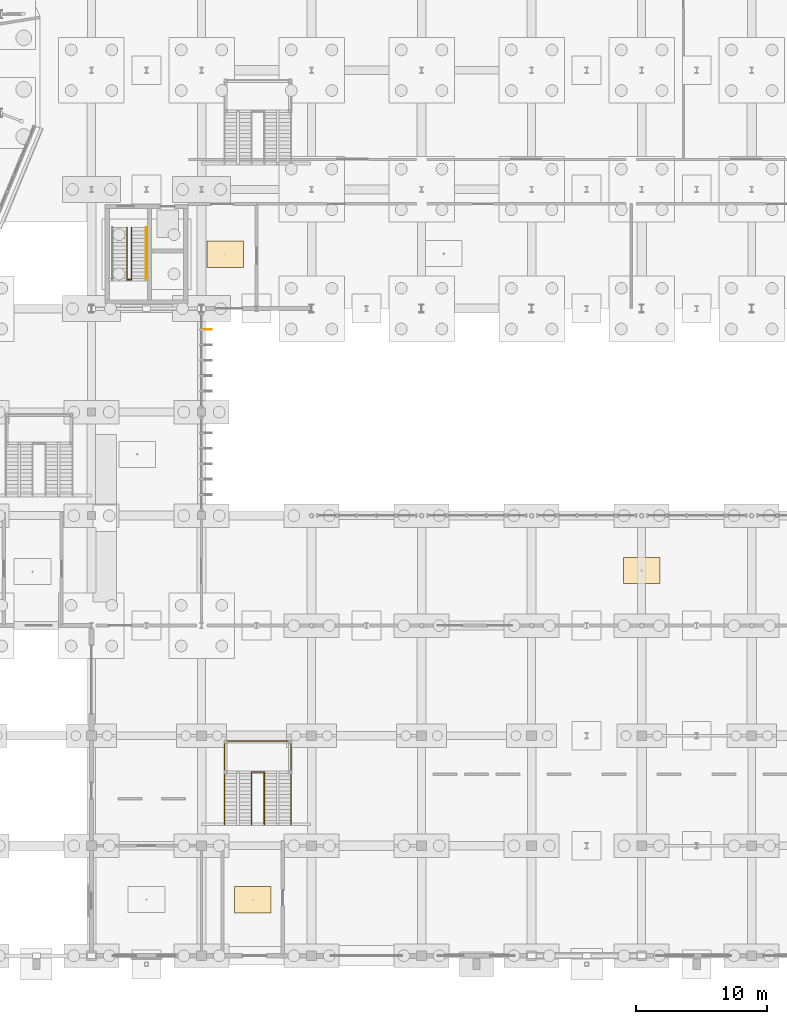
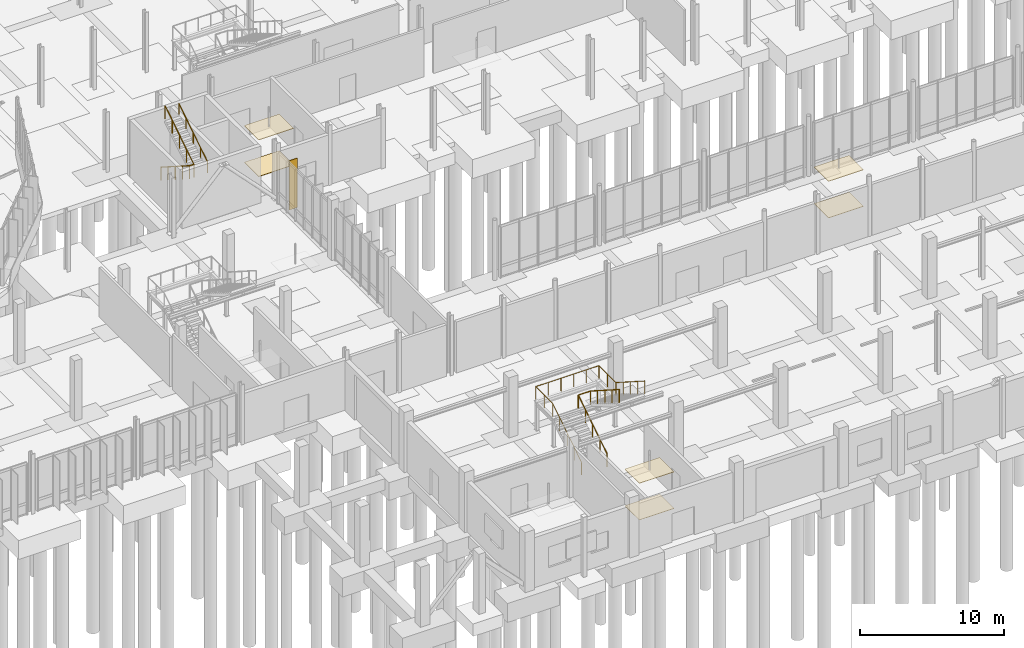
# One storey, part 110 of 119: 6 coverings, 4 railings, 1 shading device.
"""IFC4 building model written with IfcOpenShell, lengths in metres."""

from ifc_helpers import new_model, si_unit, derived_unit, direction, frame, origin, origin_2d, place, context, subcontext, project, spatial, polyline, rectangle, circle, outline, extrude, material, layer, layer_set, type_object, element, save


model = new_model("IFC4")

# Units and contexts
model_context = context("Model", 3, precision=1e-05, world=origin(), true_north=direction((0.0, 1.0)))
body_context = subcontext(model_context, "Body", "Model", "MODEL_VIEW")
ifc_project = project(units=[si_unit("LENGTHUNIT", "METRE"), si_unit("AREAUNIT", "SQUARE_METRE"), si_unit("VOLUMEUNIT", "CUBIC_METRE"), si_unit("PLANEANGLEUNIT", "RADIAN"), si_unit("MASSUNIT", "GRAM", prefix="KILO"), derived_unit("THERMALTRANSMITTANCEUNIT", [(si_unit("MASSUNIT", "GRAM", prefix="KILO"), 1), (si_unit("TIMEUNIT", "SECOND"), -3), (si_unit("THERMODYNAMICTEMPERATUREUNIT", "KELVIN"), -1)])], contexts=[model_context])

# Site, building, storey
site_placement = place(None, origin())
site = spatial("IfcSite", under=ifc_project, at=site_placement, CompositionType="ELEMENT")
building_placement = place(site_placement, origin())
building = spatial("IfcBuilding", under=site, at=building_placement, Name="Makaiwela Harbour Ferry Terminal", CompositionType="ELEMENT")
storey_placement = place(building_placement, origin())
storey = spatial("IfcBuildingStorey", under=building, at=storey_placement, Name="L00", CompositionType="ELEMENT", Elevation=0.0)

# Shading device
ifc_material_1 = material(Name="Marine anodised aluminium 6063-T6", Category="aluminium")
ifc_layer_1 = layer(ifc_material_1, 0.054931640625)
ifc_layer_set_1 = layer_set([ifc_layer_1], Name="Marine anodised aluminium 6063-T6")
shading_device_type = type_object("IfcShadingDeviceType", Name="ENV-FIN-650", PredefinedType="USERDEFINED", material=ifc_layer_set_1)
shading_device_placement = place(storey_placement, frame((71.837890625, 47.80322265625, 0.1669921875), z_axis=(0.0, 0.0, 1.0), x_axis=(1.0, 0.0, 0.0)))
element("IfcShadingDevice", 1, at=shading_device_placement, inside=storey, type_object=shading_device_type, Name="Vertical Solar Fin SFN-0393", ObjectType="SOLAR FIN", PredefinedType="USERDEFINED", context=body_context, shape_type="SweptSolid", body=[
    extrude(rectangle(XDim=0.64990234375, YDim=0.054931640625, at=origin_2d()), origin(), (0.0, 0.0, 1.0), 4.18994140625),
])

# Coverings
ifc_material_2 = material(Name="Thermally modified Accoya timber acoustic slat ceiling", Category="wood")
ifc_layer_2 = layer(ifc_material_2, 0.0400390625)
ifc_layer_set_2 = layer_set([ifc_layer_2], Name="Thermally modified Accoya timber acoustic slat ceiling")
covering_type_1 = type_object("IfcCoveringType", Name="INT-COV-CEIL", PredefinedType="CEILING", material=ifc_layer_set_2)
covering_1_placement = place(storey_placement, frame((0.0, 0.0, 3.10009765625)))
element("IfcCovering", 2, at=covering_1_placement, inside=storey, type_object=covering_type_1, Name="Acoustic Timber Ceiling CLG-011", PredefinedType="CEILING", context=body_context, shape_type="SweptSolid", body=[
    extrude(outline(polyline([(71.800048828125, 52.550048828125), (74.60009765625, 52.550048828125), (74.60009765625, 54.550048828125), (71.800048828125, 54.550048828125), (71.800048828125, 52.550048828125)])), origin(), (0.0, 0.0, 1.0), 0.039794921875),
])
covering_2_placement = place(storey_placement, frame((0.0, 0.0, 3.10009765625)))
element("IfcCovering", 3, at=covering_2_placement, inside=storey, type_object=covering_type_1, Name="Acoustic Timber Ceiling CLG-012", PredefinedType="CEILING", context=body_context, shape_type="SweptSolid", body=[
    extrude(outline(polyline([(73.89990234375, 3.27490234375), (76.699951171875, 3.27490234375), (76.699951171875, 5.27490234375), (73.89990234375, 5.27490234375), (73.89990234375, 3.27490234375)])), origin(), (0.0, 0.0, 1.0), 0.039794921875),
])
covering_3_placement = place(storey_placement, frame((0.0, 0.0, 3.10009765625)))
element("IfcCovering", 4, at=covering_3_placement, inside=storey, type_object=covering_type_1, Name="Acoustic Timber Ceiling CLG-020", PredefinedType="CEILING", context=body_context, shape_type="SweptSolid", body=[
    extrude(outline(polyline([(103.60009765625, 28.39990234375), (106.39990234375, 28.39990234375), (106.39990234375, 30.39990234375), (103.60009765625, 30.39990234375), (103.60009765625, 28.39990234375)])), origin(), (0.0, 0.0, 1.0), 0.039794921875),
])
ifc_material_3 = material(Name="Honed coral-aggregate epoxy terrazzo flooring", Category="concrete")
ifc_layer_3 = layer(ifc_material_3, 0.02490234375)
ifc_layer_set_3 = layer_set([ifc_layer_3], Name="Honed coral-aggregate epoxy terrazzo flooring")
covering_type_2 = type_object("IfcCoveringType", Name="INT-COV-FLR", PredefinedType="FLOORING", material=ifc_layer_set_3)
covering_4_placement = place(storey_placement, origin())
element("IfcCovering", 5, at=covering_4_placement, inside=storey, type_object=covering_type_2, Name="Terrazzo Flooring FLG-011", PredefinedType="FLOORING", context=body_context, shape_type="SweptSolid", body=[
    extrude(outline(polyline([(71.800048828125, 52.550048828125), (74.60009765625, 52.550048828125), (74.60009765625, 54.550048828125), (71.800048828125, 54.550048828125), (71.800048828125, 52.550048828125)])), origin(), (0.0, 0.0, 1.0), 0.02490234375),
])
covering_5_placement = place(storey_placement, origin())
element("IfcCovering", 6, at=covering_5_placement, inside=storey, type_object=covering_type_2, Name="Terrazzo Flooring FLG-012", PredefinedType="FLOORING", context=body_context, shape_type="SweptSolid", body=[
    extrude(outline(polyline([(73.89990234375, 3.27490234375), (76.699951171875, 3.27490234375), (76.699951171875, 5.27490234375), (73.89990234375, 5.27490234375), (73.89990234375, 3.27490234375)])), origin(), (0.0, 0.0, 1.0), 0.02490234375),
])
covering_6_placement = place(storey_placement, origin())
element("IfcCovering", 7, at=covering_6_placement, inside=storey, type_object=covering_type_2, Name="Terrazzo Flooring FLG-020", PredefinedType="FLOORING", context=body_context, shape_type="SweptSolid", body=[
    extrude(outline(polyline([(103.60009765625, 28.39990234375), (106.39990234375, 28.39990234375), (106.39990234375, 30.39990234375), (103.60009765625, 30.39990234375), (103.60009765625, 28.39990234375)])), origin(), (0.0, 0.0, 1.0), 0.02490234375),
])

# Railings
ifc_material_4 = material(Name="Marine grade 316L brushed stainless steel", Category="steel")
railing_type_1 = type_object("IfcRailingType", Name="INT-RL-GRD110", PredefinedType="GUARDRAIL", material=ifc_material_4)
railing_1_placement = place(storey_placement, frame((65.7099609375, 55.60009765625, 0.0)))
element("IfcRailing", 8, at=railing_1_placement, inside=storey, type_object=railing_type_1, Name="Stair well guardrail RL-0061", PredefinedType="GUARDRAIL", context=body_context, shape_type="SweptSolid", body=[
    extrude(circle(Radius=0.02392578125, at=origin_2d()), frame((0.0, 0.0, 1.09619140625), z_axis=(0.0, -0.842611129269, 0.538522501696), x_axis=(1.0, 0.0, 0.0)), (0.0, 0.0, 1.0), 4.7353515625),
    extrude(circle(Radius=0.02392578125, at=origin_2d()), frame((0.0, -3.989990234375, 3.64599609375), z_axis=(1.0, 0.0, 0.0), x_axis=(0.0, 1.0, 0.0)), (0.0, 0.0, 1.0), 0.340087890625),
    extrude(circle(Radius=0.02392578125, at=origin_2d()), frame((0.340087890625, -3.989990234375, 3.64599609375), z_axis=(0.0, 0.842611129269, 0.538522501696), x_axis=(-1.0, 0.0, 0.0)), (0.0, 0.0, 1.0), 4.7353515625),
    extrude(circle(Radius=0.02099609375, at=origin_2d()), origin(), (0.0, 0.0, 1.0), 1.072021484375),
    extrude(circle(Radius=0.02099609375, at=origin_2d()), frame((0.0, -0.99755859375, 0.637451171875)), (0.0, 0.0, 1.0), 1.072021484375),
    extrude(circle(Radius=0.02099609375, at=origin_2d()), frame((0.0, -1.9951171875, 1.27490234375)), (0.0, 0.0, 1.0), 1.072021484375),
    extrude(circle(Radius=0.02099609375, at=origin_2d()), frame((0.0, -2.992431640625, 1.91259765625)), (0.0, 0.0, 1.0), 1.072021484375),
    extrude(circle(Radius=0.02099609375, at=origin_2d()), frame((0.0, -3.989990234375, 2.550048828125)), (0.0, 0.0, 1.0), 1.072021484375),
    extrude(circle(Radius=0.02099609375, at=origin_2d()), frame((0.340087890625, -3.989990234375, 2.550048828125)), (0.0, 0.0, 1.0), 1.072021484375),
    extrude(circle(Radius=0.02099609375, at=origin_2d()), frame((0.340087890625, -2.992431640625, 3.1875)), (0.0, 0.0, 1.0), 1.072021484375),
    extrude(circle(Radius=0.02099609375, at=origin_2d()), frame((0.340087890625, -1.9951171875, 3.8251953125)), (0.0, 0.0, 1.0), 1.072021484375),
    extrude(circle(Radius=0.02099609375, at=origin_2d()), frame((0.340087890625, -0.99755859375, 4.462646484375)), (0.0, 0.0, 1.0), 1.072021484375),
    extrude(circle(Radius=0.02099609375, at=origin_2d()), frame((0.340087890625, 0.0, 5.10009765625)), (0.0, 0.0, 1.0), 1.072021484375),
])
railing_2_placement = place(storey_placement, frame((75.2099609375, 10.030029296875, 0.0)))
element("IfcRailing", 9, at=railing_2_placement, inside=storey, type_object=railing_type_1, Name="Stair well guardrail RL-0089", PredefinedType="GUARDRAIL", context=body_context, shape_type="SweptSolid", body=[
    extrude(circle(Radius=0.02392578125, at=origin_2d()), frame((0.0, 0.0, 1.09619140625), z_axis=(0.0, 0.842611129269, 0.538522501696), x_axis=(-1.0, 0.0, 0.0)), (0.0, 0.0, 1.0), 4.7353515625),
    extrude(circle(Radius=0.02392578125, at=origin_2d()), frame((0.0, 3.989990234375, 3.64599609375), z_axis=(1.0, 0.0, 0.0), x_axis=(0.0, 1.0, 0.0)), (0.0, 0.0, 1.0), 0.97998046875),
    extrude(circle(Radius=0.02392578125, at=origin_2d()), frame((0.97998046875, 3.989990234375, 3.64599609375), z_axis=(0.0, -0.842611129269, 0.538522501696), x_axis=(1.0, 0.0, 0.0)), (0.0, 0.0, 1.0), 4.7353515625),
    extrude(circle(Radius=0.02099609375, at=origin_2d()), origin(), (0.0, 0.0, 1.0), 1.072021484375),
    extrude(circle(Radius=0.02099609375, at=origin_2d()), frame((0.0, 0.99755859375, 0.637451171875)), (0.0, 0.0, 1.0), 1.072021484375),
    extrude(circle(Radius=0.02099609375, at=origin_2d()), frame((0.0, 1.9951171875, 1.27490234375)), (0.0, 0.0, 1.0), 1.072021484375),
    extrude(circle(Radius=0.02099609375, at=origin_2d()), frame((0.0, 2.992431640625, 1.91259765625)), (0.0, 0.0, 1.0), 1.072021484375),
    extrude(circle(Radius=0.02099609375, at=origin_2d()), frame((0.0, 3.989990234375, 2.550048828125)), (0.0, 0.0, 1.0), 1.072021484375),
    extrude(circle(Radius=0.02099609375, at=origin_2d()), frame((0.97998046875, 3.989990234375, 2.550048828125)), (0.0, 0.0, 1.0), 1.072021484375),
    extrude(circle(Radius=0.02099609375, at=origin_2d()), frame((0.97998046875, 2.992431640625, 3.1875)), (0.0, 0.0, 1.0), 1.072021484375),
    extrude(circle(Radius=0.02099609375, at=origin_2d()), frame((0.97998046875, 1.9951171875, 3.8251953125)), (0.0, 0.0, 1.0), 1.072021484375),
    extrude(circle(Radius=0.02099609375, at=origin_2d()), frame((0.97998046875, 0.99755859375, 4.462646484375)), (0.0, 0.0, 1.0), 1.072021484375),
    extrude(circle(Radius=0.02099609375, at=origin_2d()), frame((0.97998046875, 0.0, 5.10009765625)), (0.0, 0.0, 1.0), 1.072021484375),
])
railing_3_placement = place(storey_placement, frame((73.159912109375, 10.030029296875, 0.0)))
element("IfcRailing", 10, at=railing_3_placement, inside=storey, type_object=railing_type_1, Name="Freestanding stair outer guardrail RL-0091", PredefinedType="GUARDRAIL", context=body_context, shape_type="SweptSolid", body=[
    extrude(circle(Radius=0.02392578125, at=origin_2d()), frame((0.0, 0.0, 1.09619140625), z_axis=(0.0, 0.842611129269, 0.538522501696), x_axis=(-1.0, 0.0, 0.0)), (0.0, 0.0, 1.0), 4.7353515625),
    extrude(circle(Radius=0.02392578125, at=origin_2d()), frame((0.0, 3.989990234375, 3.64599609375), z_axis=(0.0, 1.0, 0.0), x_axis=(-1.0, 0.0, 0.0)), (0.0, 0.0, 1.0), 2.369873046875),
    extrude(circle(Radius=0.02392578125, at=origin_2d()), frame((0.0, 6.35986328125, 3.64599609375), z_axis=(1.0, 0.0, 0.0), x_axis=(0.0, 1.0, 0.0)), (0.0, 0.0, 1.0), 5.080078125),
    extrude(circle(Radius=0.02392578125, at=origin_2d()), frame((5.080078125, 6.35986328125, 3.64599609375), z_axis=(0.0, -1.0, 0.0), x_axis=(1.0, 0.0, 0.0)), (0.0, 0.0, 1.0), 2.369873046875),
    extrude(circle(Radius=0.02392578125, at=origin_2d()), frame((5.080078125, 3.989990234375, 3.64599609375), z_axis=(0.0, -0.842611129269, 0.538522501696), x_axis=(1.0, 0.0, 0.0)), (0.0, 0.0, 1.0), 4.7353515625),
    extrude(circle(Radius=0.02099609375, at=origin_2d()), origin(), (0.0, 0.0, 1.0), 1.072021484375),
    extrude(circle(Radius=0.02099609375, at=origin_2d()), frame((0.0, 0.99755859375, 0.637451171875)), (0.0, 0.0, 1.0), 1.072021484375),
    extrude(circle(Radius=0.02099609375, at=origin_2d()), frame((0.0, 1.9951171875, 1.27490234375)), (0.0, 0.0, 1.0), 1.072021484375),
    extrude(circle(Radius=0.02099609375, at=origin_2d()), frame((0.0, 2.992431640625, 1.91259765625)), (0.0, 0.0, 1.0), 1.072021484375),
    extrude(circle(Radius=0.02099609375, at=origin_2d()), frame((0.0, 3.989990234375, 2.550048828125)), (0.0, 0.0, 1.0), 1.072021484375),
    extrude(circle(Radius=0.02099609375, at=origin_2d()), frame((0.0, 5.1748046875, 2.550048828125)), (0.0, 0.0, 1.0), 1.072021484375),
    extrude(circle(Radius=0.02099609375, at=origin_2d()), frame((0.0, 6.35986328125, 2.550048828125)), (0.0, 0.0, 1.0), 1.072021484375),
    extrude(circle(Radius=0.02099609375, at=origin_2d()), frame((1.01611328125, 6.35986328125, 2.550048828125)), (0.0, 0.0, 1.0), 1.072021484375),
    extrude(circle(Radius=0.02099609375, at=origin_2d()), frame((2.031982421875, 6.35986328125, 2.550048828125)), (0.0, 0.0, 1.0), 1.072021484375),
    extrude(circle(Radius=0.02099609375, at=origin_2d()), frame((3.048095703125, 6.35986328125, 2.550048828125)), (0.0, 0.0, 1.0), 1.072021484375),
    extrude(circle(Radius=0.02099609375, at=origin_2d()), frame((4.06396484375, 6.35986328125, 2.550048828125)), (0.0, 0.0, 1.0), 1.072021484375),
    extrude(circle(Radius=0.02099609375, at=origin_2d()), frame((5.080078125, 6.35986328125, 2.550048828125)), (0.0, 0.0, 1.0), 1.072021484375),
    extrude(circle(Radius=0.02099609375, at=origin_2d()), frame((5.080078125, 5.1748046875, 2.550048828125)), (0.0, 0.0, 1.0), 1.072021484375),
    extrude(circle(Radius=0.02099609375, at=origin_2d()), frame((5.080078125, 3.989990234375, 2.550048828125)), (0.0, 0.0, 1.0), 1.072021484375),
    extrude(circle(Radius=0.02099609375, at=origin_2d()), frame((5.080078125, 2.992431640625, 3.1875)), (0.0, 0.0, 1.0), 1.072021484375),
    extrude(circle(Radius=0.02099609375, at=origin_2d()), frame((5.080078125, 1.9951171875, 3.8251953125)), (0.0, 0.0, 1.0), 1.072021484375),
    extrude(circle(Radius=0.02099609375, at=origin_2d()), frame((5.080078125, 0.99755859375, 4.462646484375)), (0.0, 0.0, 1.0), 1.072021484375),
    extrude(circle(Radius=0.02099609375, at=origin_2d()), frame((5.080078125, 0.0, 5.10009765625)), (0.0, 0.0, 1.0), 1.072021484375),
])
railing_type_2 = type_object("IfcRailingType", Name="INT-RL-HND090", PredefinedType="HANDRAIL", material=ifc_material_4)
railing_4_placement = place(storey_placement, frame((67.159912109375, 51.610107421875, 2.550048828125)))
element("IfcRailing", 11, at=railing_4_placement, inside=storey, type_object=railing_type_2, Name="Stair upper handrail RL-0064", PredefinedType="HANDRAIL", context=body_context, shape_type="SweptSolid", body=[
    extrude(circle(Radius=0.02392578125, at=origin_2d()), frame((0.0, 0.0, 0.89111328125), z_axis=(0.0, 0.842611129269, 0.538522501696), x_axis=(-1.0, 0.0, 0.0)), (0.0, 0.0, 1.0), 4.7353515625),
    extrude(circle(Radius=0.02099609375, at=origin_2d()), origin(), (0.0, 0.0, 1.0), 0.866943359375),
    extrude(circle(Radius=0.02099609375, at=origin_2d()), frame((0.0, 0.99755859375, 0.637451171875)), (0.0, 0.0, 1.0), 0.866943359375),
    extrude(circle(Radius=0.02099609375, at=origin_2d()), frame((0.0, 1.9951171875, 1.27490234375)), (0.0, 0.0, 1.0), 0.866943359375),
    extrude(circle(Radius=0.02099609375, at=origin_2d()), frame((0.0, 2.992431640625, 1.91259765625)), (0.0, 0.0, 1.0), 0.866943359375),
    extrude(circle(Radius=0.02099609375, at=origin_2d()), frame((0.0, 3.989990234375, 2.550048828125)), (0.0, 0.0, 1.0), 0.866943359375),
])

save(model, "model.ifc")
